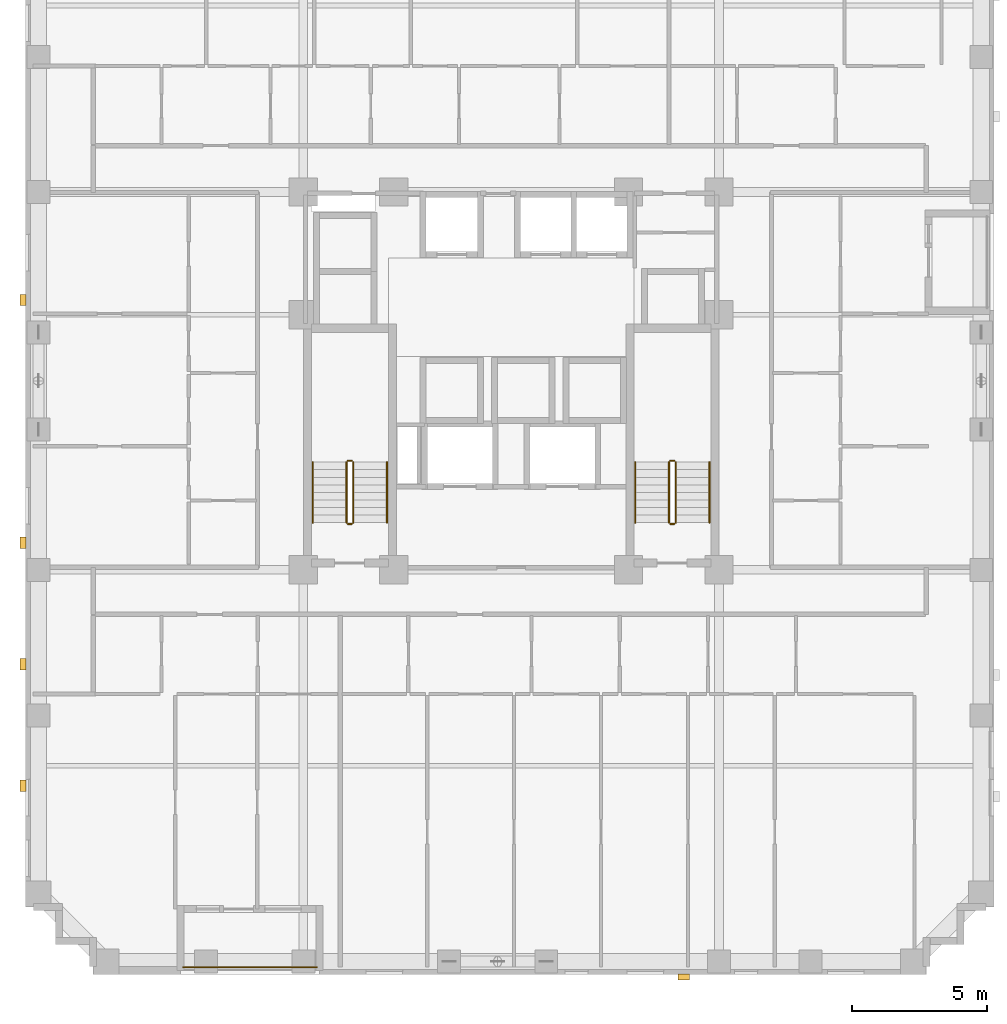
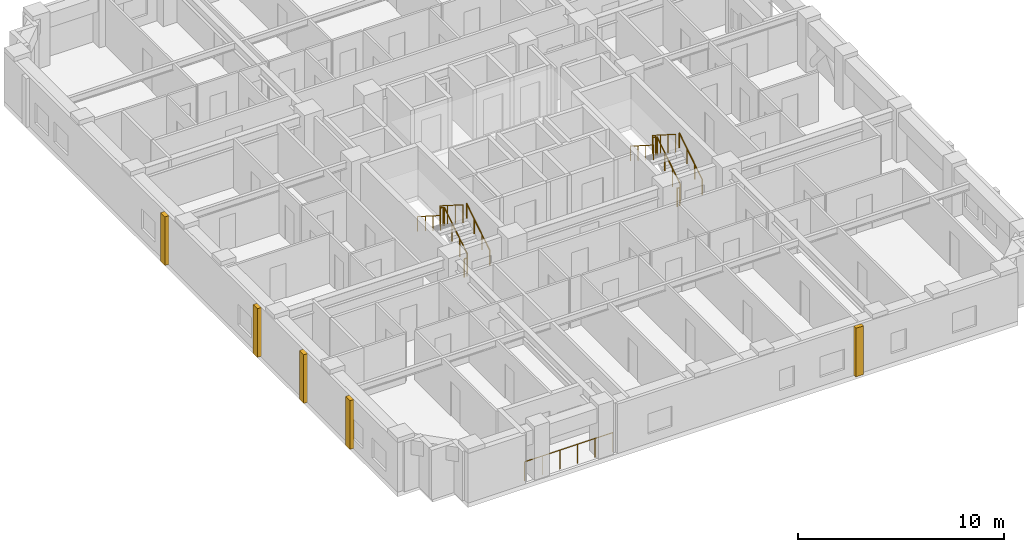
# One storey, part 11 of 12: 13 railings, 5 coverings.
"""IFC4 building model written with IfcOpenShell, lengths in metres."""

from ifc_helpers import new_model, si_unit, derived_unit, direction, frame, origin, origin_2d, place, context, subcontext, project, spatial, rectangle, circle, extrude, material, layer, layer_set, type_object, element, save


model = new_model("IFC4")

# Units and contexts
model_context = context("Model", 3, precision=1e-05, world=origin(), true_north=direction((0.0, 1.0)))
body_context = subcontext(model_context, "Body", "Model", "MODEL_VIEW")
ifc_project = project(units=[si_unit("LENGTHUNIT", "METRE"), si_unit("AREAUNIT", "SQUARE_METRE"), si_unit("VOLUMEUNIT", "CUBIC_METRE"), si_unit("PLANEANGLEUNIT", "RADIAN"), si_unit("MASSUNIT", "GRAM", prefix="KILO"), derived_unit("THERMALTRANSMITTANCEUNIT", [(si_unit("MASSUNIT", "GRAM", prefix="KILO"), 1), (si_unit("TIMEUNIT", "SECOND"), -3), (si_unit("THERMODYNAMICTEMPERATUREUNIT", "KELVIN"), -1)])], contexts=[model_context])

# Site, building, storey
site_placement = place(None, origin())
site = spatial("IfcSite", under=ifc_project, at=site_placement, CompositionType="ELEMENT")
building_placement = place(site_placement, origin())
building = spatial("IfcBuilding", under=site, at=building_placement, Name="Korrvale Station Residences", CompositionType="ELEMENT")
storey_placement = place(building_placement, frame((0.0, 0.0, 81.5)))
storey = spatial("IfcBuildingStorey", under=building, at=storey_placement, Name="L22", CompositionType="ELEMENT", Elevation=81.5)

# Coverings
ifc_material_1 = material(Name="Architectural precast concrete C45/55", Category="concrete")
ifc_layer = layer(ifc_material_1, 0.219970703125, Name="Architectural precast concrete C45/55")
ifc_layer_set = layer_set([ifc_layer], Name="Architectural precast concrete C45/55")
covering_type = type_object("IfcCoveringType", Name="COV-PIER-400", PredefinedType="CLADDING", material=ifc_layer_set)
for number, where, z_axis, x_axis, name in (
    (1, (31.89990234375, -0.090087890625, 0.02490234375), (0.0, 0.0, 1.0), (1.0, 0.0, 0.0), "L22 Architectural Precast Facade Pier 01"),
    (2, (7.409912109375, 7.0, 0.02490234375), (0.0, 0.0, 1.0), (0.0, 1.0, 0.0), "L22 Architectural Precast Facade Pier 04"),
    (3, (7.409912109375, 11.5, 0.02490234375), (0.0, 0.0, 1.0), (0.0, 1.0, 0.0), "L22 Architectural Precast Facade Pier 05"),
    (4, (7.409912109375, 16.0, 0.02490234375), (0.0, 0.0, 1.0), (0.0, 1.0, 0.0), "L22 Architectural Precast Facade Pier 06"),
    (5, (7.409912109375, 25.0, 0.02490234375), (0.0, 0.0, 1.0), (0.0, 1.0, 0.0), "L22 Architectural Precast Facade Pier 07"),
):
    element("IfcCovering", number, at=place(storey_placement, frame(where, z_axis=z_axis, x_axis=x_axis)), inside=storey, type_object=covering_type, Name=name, PredefinedType="CLADDING", context=body_context, shape_type="SweptSolid", body=[
        extrude(rectangle(XDim=0.419921875, YDim=0.219970703125, at=origin_2d()), origin(), (0.0, 0.0, 1.0), 2.889892578125),
    ])

# Railings
ifc_material_2 = material(Name="Powder-coated aluminium picket loggia guard", Category="aluminium")
railing_type_1 = type_object("IfcRailingType", Name="RLG-BAL-1150", PredefinedType="GUARDRAIL", material=ifc_material_2)
railing_1_placement = place(storey_placement, frame((13.35009765625, 0.27001953125, 0.0)))
element("IfcRailing", 6, at=railing_1_placement, inside=storey, type_object=railing_type_1, Name="L22 Recessed Loggia Guardrail BAL-L22-S1", PredefinedType="GUARDRAIL", context=body_context, shape_type="SweptSolid", body=[
    extrude(circle(Radius=0.02392578125, at=origin_2d()), frame((0.0, 0.0, 1.1259765625), z_axis=(1.0, 0.0, 0.0), x_axis=(0.0, 1.0, 0.0)), (0.0, 0.0, 1.0), 4.949951171875),
    extrude(circle(Radius=0.02099609375, at=origin_2d()), origin(), (0.0, 0.0, 1.0), 1.101806640625),
    extrude(circle(Radius=0.02099609375, at=origin_2d()), frame((0.989990234375, 0.0, 0.0)), (0.0, 0.0, 1.0), 1.101806640625),
    extrude(circle(Radius=0.02099609375, at=origin_2d()), frame((1.97998046875, 0.0, 0.0)), (0.0, 0.0, 1.0), 1.101806640625),
    extrude(circle(Radius=0.02099609375, at=origin_2d()), frame((2.969970703125, 0.0, 0.0)), (0.0, 0.0, 1.0), 1.101806640625),
    extrude(circle(Radius=0.02099609375, at=origin_2d()), frame((3.9599609375, 0.0, 0.0)), (0.0, 0.0, 1.0), 1.101806640625),
    extrude(circle(Radius=0.02099609375, at=origin_2d()), frame((4.949951171875, 0.0, 0.0)), (0.0, 0.0, 1.0), 1.101806640625),
])
ifc_material_3 = material(Name="Brushed stainless-steel continuous stair handrail", Category="steel")
railing_type_2 = type_object("IfcRailingType", Name="RLG-SHND-900", PredefinedType="HANDRAIL", material=ifc_material_3)
railing_2_placement = place(storey_placement, frame((20.89990234375, 16.75, 0.177734375)))
element("IfcRailing", 7, at=railing_2_placement, inside=storey, type_object=railing_type_2, Name="L22 ST-1 stair handrail 1", PredefinedType="HANDRAIL", context=body_context, shape_type="SweptSolid", body=[
    extrude(circle(Radius=0.02392578125, at=origin_2d()), frame((0.0, 0.0, 0.8759765625), z_axis=(0.0, 0.84418770128, 0.536047689118), x_axis=(-1.0, 0.0, 0.0)), (0.0, 0.0, 1.0), 2.6533203125),
    extrude(circle(Radius=0.02099609375, at=origin_2d()), origin(), (0.0, 0.0, 1.0), 0.851806640625),
    extrude(circle(Radius=0.02099609375, at=origin_2d()), frame((0.0, 0.74658203125, 0.47412109375)), (0.0, 0.0, 1.0), 0.851806640625),
    extrude(circle(Radius=0.02099609375, at=origin_2d()), frame((0.0, 1.493408203125, 0.9482421875)), (0.0, 0.0, 1.0), 0.851806640625),
    extrude(circle(Radius=0.02099609375, at=origin_2d()), frame((0.0, 2.239990234375, 1.42236328125)), (0.0, 0.0, 1.0), 0.851806640625),
])
railing_3_placement = place(storey_placement, frame((18.14990234375, 18.989990234375, 1.77783203125)))
element("IfcRailing", 8, at=railing_3_placement, inside=storey, type_object=railing_type_2, Name="L22 ST-1 stair handrail 2", PredefinedType="HANDRAIL", context=body_context, shape_type="SweptSolid", body=[
    extrude(circle(Radius=0.02392578125, at=origin_2d()), frame((0.0, 0.0, 0.8759765625), z_axis=(0.0, -0.8442293374, 0.53598211339), x_axis=(1.0, 0.0, 0.0)), (0.0, 0.0, 1.0), 2.6533203125),
    extrude(circle(Radius=0.02099609375, at=origin_2d()), origin(), (0.0, 0.0, 1.0), 0.851806640625),
    extrude(circle(Radius=0.02099609375, at=origin_2d()), frame((0.0, -0.74658203125, 0.47412109375)), (0.0, 0.0, 1.0), 0.851806640625),
    extrude(circle(Radius=0.02099609375, at=origin_2d()), frame((0.0, -1.493408203125, 0.947998046875)), (0.0, 0.0, 1.0), 0.851806640625),
    extrude(circle(Radius=0.02099609375, at=origin_2d()), frame((0.0, -2.239990234375, 1.422119140625)), (0.0, 0.0, 1.0), 0.851806640625),
])
railing_4_placement = place(storey_placement, frame((32.85009765625, 16.75, 0.177734375)))
element("IfcRailing", 9, at=railing_4_placement, inside=storey, type_object=railing_type_2, Name="L22 ST-2 stair handrail 1", PredefinedType="HANDRAIL", context=body_context, shape_type="SweptSolid", body=[
    extrude(circle(Radius=0.02392578125, at=origin_2d()), frame((0.0, 0.0, 0.8759765625), z_axis=(0.0, 0.84418770128, 0.536047689118), x_axis=(-1.0, 0.0, 0.0)), (0.0, 0.0, 1.0), 2.6533203125),
    extrude(circle(Radius=0.02099609375, at=origin_2d()), origin(), (0.0, 0.0, 1.0), 0.851806640625),
    extrude(circle(Radius=0.02099609375, at=origin_2d()), frame((0.0, 0.74658203125, 0.47412109375)), (0.0, 0.0, 1.0), 0.851806640625),
    extrude(circle(Radius=0.02099609375, at=origin_2d()), frame((0.0, 1.493408203125, 0.9482421875)), (0.0, 0.0, 1.0), 0.851806640625),
    extrude(circle(Radius=0.02099609375, at=origin_2d()), frame((0.0, 2.239990234375, 1.42236328125)), (0.0, 0.0, 1.0), 0.851806640625),
])
railing_5_placement = place(storey_placement, frame((30.10009765625, 18.989990234375, 1.77783203125)))
element("IfcRailing", 10, at=railing_5_placement, inside=storey, type_object=railing_type_2, Name="L22 ST-2 stair handrail 2", PredefinedType="HANDRAIL", context=body_context, shape_type="SweptSolid", body=[
    extrude(circle(Radius=0.02392578125, at=origin_2d()), frame((0.0, 0.0, 0.8759765625), z_axis=(0.0, -0.8442293374, 0.53598211339), x_axis=(1.0, 0.0, 0.0)), (0.0, 0.0, 1.0), 2.6533203125),
    extrude(circle(Radius=0.02099609375, at=origin_2d()), origin(), (0.0, 0.0, 1.0), 0.851806640625),
    extrude(circle(Radius=0.02099609375, at=origin_2d()), frame((0.0, -0.74658203125, 0.47412109375)), (0.0, 0.0, 1.0), 0.851806640625),
    extrude(circle(Radius=0.02099609375, at=origin_2d()), frame((0.0, -1.493408203125, 0.947998046875)), (0.0, 0.0, 1.0), 0.851806640625),
    extrude(circle(Radius=0.02099609375, at=origin_2d()), frame((0.0, -2.239990234375, 1.422119140625)), (0.0, 0.0, 1.0), 0.851806640625),
])
ifc_material_4 = material(Name="Galvanised painted tubular steel stair guard", Category="steel")
railing_type_3 = type_object("IfcRailingType", Name="RLG-STR-1100", PredefinedType="GUARDRAIL", material=ifc_material_4)
railing_6_placement = place(storey_placement, frame((19.64990234375, 16.75, 0.177734375)))
element("IfcRailing", 11, at=railing_6_placement, inside=storey, type_object=railing_type_3, Name="L22 ST-1 stair guard 1", PredefinedType="GUARDRAIL", context=body_context, shape_type="SweptSolid", body=[
    extrude(circle(Radius=0.02392578125, at=origin_2d()), frame((0.0, 0.0, 1.076171875), z_axis=(0.0, 0.84418770128, 0.536047689118), x_axis=(-1.0, 0.0, 0.0)), (0.0, 0.0, 1.0), 2.6533203125),
    extrude(circle(Radius=0.02099609375, at=origin_2d()), origin(), (0.0, 0.0, 1.0), 1.052001953125),
    extrude(circle(Radius=0.02099609375, at=origin_2d()), frame((0.0, 0.74658203125, 0.47412109375)), (0.0, 0.0, 1.0), 1.052001953125),
    extrude(circle(Radius=0.02099609375, at=origin_2d()), frame((0.0, 1.493408203125, 0.9482421875)), (0.0, 0.0, 1.0), 1.052001953125),
    extrude(circle(Radius=0.02099609375, at=origin_2d()), frame((0.0, 2.239990234375, 1.42236328125)), (0.0, 0.0, 1.0), 1.052001953125),
])
railing_7_placement = place(storey_placement, frame((19.60009765625, 19.0400390625, 1.60009765625)))
element("IfcRailing", 12, at=railing_7_placement, inside=storey, type_object=railing_type_3, Name="L22 ST-1 stair guard 2", PredefinedType="GUARDRAIL", context=body_context, shape_type="SweptSolid", body=[
    extrude(circle(Radius=0.02392578125, at=origin_2d()), frame((0.0, 0.0, 1.076171875), z_axis=(-1.0, 0.0, 0.0), x_axis=(0.0, -1.0, 0.0)), (0.0, 0.0, 1.0), 0.150146484375),
    extrude(circle(Radius=0.02099609375, at=origin_2d()), origin(), (0.0, 0.0, 1.0), 1.052001953125),
    extrude(circle(Radius=0.02099609375, at=origin_2d()), frame((-0.150146484375, 0.0, 0.0)), (0.0, 0.0, 1.0), 1.052001953125),
])
railing_8_placement = place(storey_placement, frame((19.39990234375, 18.989990234375, 1.77783203125)))
element("IfcRailing", 13, at=railing_8_placement, inside=storey, type_object=railing_type_3, Name="L22 ST-1 stair guard 3", PredefinedType="GUARDRAIL", context=body_context, shape_type="SweptSolid", body=[
    extrude(circle(Radius=0.02392578125, at=origin_2d()), frame((0.0, 0.0, 1.076171875), z_axis=(0.0, -0.8442293374, 0.53598211339), x_axis=(1.0, 0.0, 0.0)), (0.0, 0.0, 1.0), 2.6533203125),
    extrude(circle(Radius=0.02099609375, at=origin_2d()), origin(), (0.0, 0.0, 1.0), 1.052001953125),
    extrude(circle(Radius=0.02099609375, at=origin_2d()), frame((0.0, -0.74658203125, 0.47412109375)), (0.0, 0.0, 1.0), 1.052001953125),
    extrude(circle(Radius=0.02099609375, at=origin_2d()), frame((0.0, -1.493408203125, 0.947998046875)), (0.0, 0.0, 1.0), 1.052001953125),
    extrude(circle(Radius=0.02099609375, at=origin_2d()), frame((0.0, -2.239990234375, 1.422119140625)), (0.0, 0.0, 1.0), 1.052001953125),
])
railing_9_placement = place(storey_placement, frame((19.60009765625, 16.699951171875, 0.0)))
element("IfcRailing", 14, at=railing_9_placement, inside=storey, type_object=railing_type_3, Name="L22 ST-1 stair guard 4", PredefinedType="GUARDRAIL", context=body_context, shape_type="SweptSolid", body=[
    extrude(circle(Radius=0.02392578125, at=origin_2d()), frame((0.0, 0.0, 1.076171875), z_axis=(-1.0, 0.0, 0.0), x_axis=(0.0, -1.0, 0.0)), (0.0, 0.0, 1.0), 0.150146484375),
    extrude(circle(Radius=0.02099609375, at=origin_2d()), origin(), (0.0, 0.0, 1.0), 1.052001953125),
    extrude(circle(Radius=0.02099609375, at=origin_2d()), frame((-0.150146484375, 0.0, 0.0)), (0.0, 0.0, 1.0), 1.052001953125),
])
railing_10_placement = place(storey_placement, frame((31.60009765625, 16.75, 0.177734375)))
element("IfcRailing", 15, at=railing_10_placement, inside=storey, type_object=railing_type_3, Name="L22 ST-2 stair guard 1", PredefinedType="GUARDRAIL", context=body_context, shape_type="SweptSolid", body=[
    extrude(circle(Radius=0.02392578125, at=origin_2d()), frame((0.0, 0.0, 1.076171875), z_axis=(0.0, 0.84418770128, 0.536047689118), x_axis=(-1.0, 0.0, 0.0)), (0.0, 0.0, 1.0), 2.6533203125),
    extrude(circle(Radius=0.02099609375, at=origin_2d()), origin(), (0.0, 0.0, 1.0), 1.052001953125),
    extrude(circle(Radius=0.02099609375, at=origin_2d()), frame((0.0, 0.74658203125, 0.47412109375)), (0.0, 0.0, 1.0), 1.052001953125),
    extrude(circle(Radius=0.02099609375, at=origin_2d()), frame((0.0, 1.493408203125, 0.9482421875)), (0.0, 0.0, 1.0), 1.052001953125),
    extrude(circle(Radius=0.02099609375, at=origin_2d()), frame((0.0, 2.239990234375, 1.42236328125)), (0.0, 0.0, 1.0), 1.052001953125),
])
railing_11_placement = place(storey_placement, frame((31.550048828125, 19.0400390625, 1.60009765625)))
element("IfcRailing", 16, at=railing_11_placement, inside=storey, type_object=railing_type_3, Name="L22 ST-2 stair guard 2", PredefinedType="GUARDRAIL", context=body_context, shape_type="SweptSolid", body=[
    extrude(circle(Radius=0.02392578125, at=origin_2d()), frame((0.0, 0.0, 1.076171875), z_axis=(-1.0, 0.0, 0.0), x_axis=(0.0, -1.0, 0.0)), (0.0, 0.0, 1.0), 0.150146484375),
    extrude(circle(Radius=0.02099609375, at=origin_2d()), origin(), (0.0, 0.0, 1.0), 1.052001953125),
    extrude(circle(Radius=0.02099609375, at=origin_2d()), frame((-0.150146484375, 0.0, 0.0)), (0.0, 0.0, 1.0), 1.052001953125),
])
railing_12_placement = place(storey_placement, frame((31.35009765625, 18.989990234375, 1.77783203125)))
element("IfcRailing", 17, at=railing_12_placement, inside=storey, type_object=railing_type_3, Name="L22 ST-2 stair guard 3", PredefinedType="GUARDRAIL", context=body_context, shape_type="SweptSolid", body=[
    extrude(circle(Radius=0.02392578125, at=origin_2d()), frame((0.0, 0.0, 1.076171875), z_axis=(0.0, -0.8442293374, 0.53598211339), x_axis=(1.0, 0.0, 0.0)), (0.0, 0.0, 1.0), 2.6533203125),
    extrude(circle(Radius=0.02099609375, at=origin_2d()), origin(), (0.0, 0.0, 1.0), 1.052001953125),
    extrude(circle(Radius=0.02099609375, at=origin_2d()), frame((0.0, -0.74658203125, 0.47412109375)), (0.0, 0.0, 1.0), 1.052001953125),
    extrude(circle(Radius=0.02099609375, at=origin_2d()), frame((0.0, -1.493408203125, 0.947998046875)), (0.0, 0.0, 1.0), 1.052001953125),
    extrude(circle(Radius=0.02099609375, at=origin_2d()), frame((0.0, -2.239990234375, 1.422119140625)), (0.0, 0.0, 1.0), 1.052001953125),
])
railing_13_placement = place(storey_placement, frame((31.550048828125, 16.699951171875, 0.0)))
element("IfcRailing", 18, at=railing_13_placement, inside=storey, type_object=railing_type_3, Name="L22 ST-2 stair guard 4", PredefinedType="GUARDRAIL", context=body_context, shape_type="SweptSolid", body=[
    extrude(circle(Radius=0.02392578125, at=origin_2d()), frame((0.0, 0.0, 1.076171875), z_axis=(-1.0, 0.0, 0.0), x_axis=(0.0, -1.0, 0.0)), (0.0, 0.0, 1.0), 0.150146484375),
    extrude(circle(Radius=0.02099609375, at=origin_2d()), origin(), (0.0, 0.0, 1.0), 1.052001953125),
    extrude(circle(Radius=0.02099609375, at=origin_2d()), frame((-0.150146484375, 0.0, 0.0)), (0.0, 0.0, 1.0), 1.052001953125),
])

save(model, "model.ifc")
